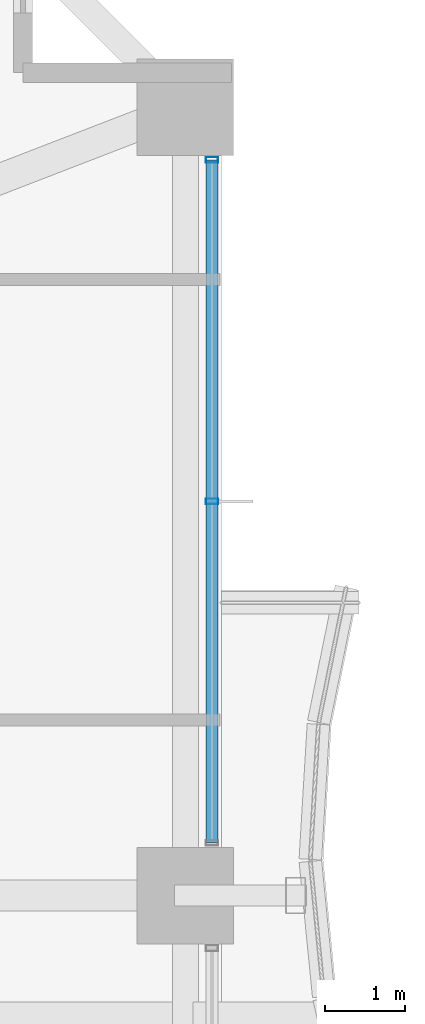
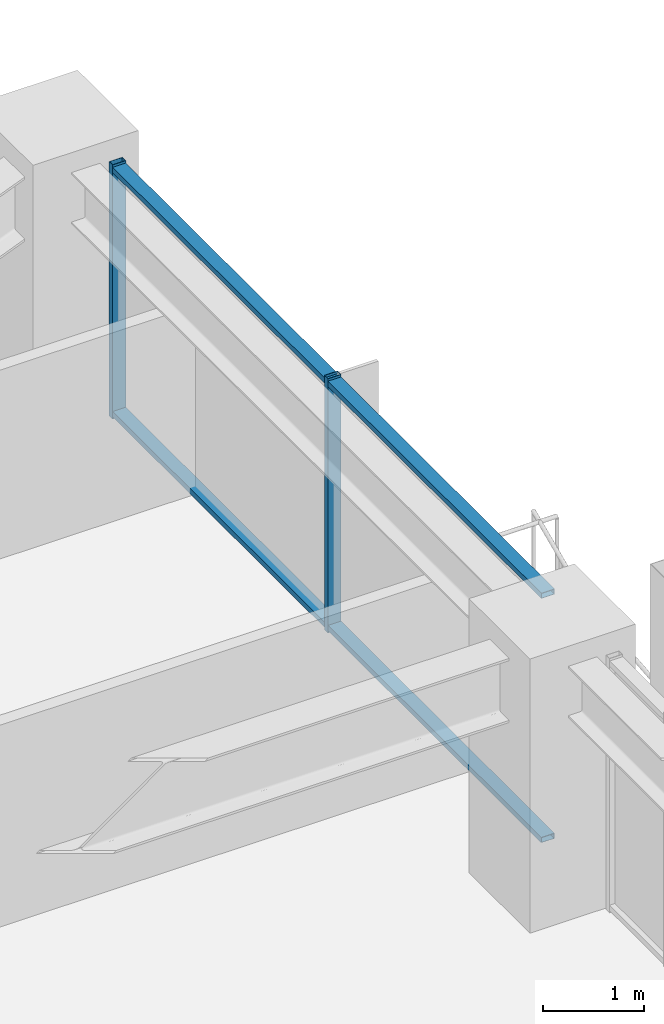
# One storey, part 23 of 36: 4 members, 1 element without a shape of its own.
"""IFC4 building model written with IfcOpenShell, lengths in metres."""

from ifc_helpers import new_model, si_unit, direction, frame, origin, origin_2d, place, context, subcontext, project, spatial, hollow_rectangle, extrude, material, material_profile, profile_set, type_object, element, aggregate, save


model = new_model("IFC4")

# Units and contexts
model_context = context("Model", 3, precision=1e-05, world=origin(), true_north=direction((0.0, 1.0)))
body_context = subcontext(model_context, "Body", "Model", "MODEL_VIEW")
ifc_project = project(units=[si_unit("LENGTHUNIT", "METRE"), si_unit("AREAUNIT", "SQUARE_METRE"), si_unit("VOLUMEUNIT", "CUBIC_METRE"), si_unit("PLANEANGLEUNIT", "RADIAN"), si_unit("MASSUNIT", "GRAM", prefix="KILO")], contexts=[model_context])

# Site, building, storey
site_placement = place(None, origin())
site = spatial("IfcSite", under=ifc_project, at=site_placement, CompositionType="ELEMENT")
building_placement = place(site_placement, origin())
building = spatial("IfcBuilding", under=site, at=building_placement, Name="Kolvaren Belvedere", CompositionType="ELEMENT")
storey_placement = place(building_placement, frame((0.0, 0.0, 46.89990234375)))
storey = spatial("IfcBuildingStorey", under=building, at=storey_placement, Name="L13", CompositionType="ELEMENT", Elevation=46.89990234375)

# Curtain wall, members
ifc_material_1 = material(Name="Anodised pale-metal aluminium AA 6063-T6", Category="aluminium")
curtain_wall_type = type_object("IfcCurtainWallType", Name="CW-Z1-LOW", PredefinedType="NOTDEFINED", material=ifc_material_1)
curtain_wall_placement = place(storey_placement, origin())
curtain_wall = element("IfcCurtainWall", 1, at=curtain_wall_placement, inside=storey, type_object=curtain_wall_type, Name="L13 Unitised Curtain Wall FCW-L13-E1-B1", PredefinedType="NOTDEFINED")
ifc_material_2 = material(Name="Anodised pale-metal aluminium AA 6063-T6", Category="aluminium")
ifc_material_profile_1 = material_profile(ifc_material_2, hollow_rectangle(XDim=0.070068359375, YDim=0.14990234375, WallThickness=0.004150390625, at=origin_2d()), Name="ALU-MUL-150X70")
ifc_profile_set_1 = profile_set([ifc_material_profile_1], Name="Anodised pale-metal aluminium AA 6063-T6")
member_type_1 = type_object("IfcMemberType", Name="CW-MUL-150", PredefinedType="MULLION", material=ifc_profile_set_1)
member_1_placement = place(storey_placement, frame((21.8798828125, 13.7451171875, 0.0), z_axis=(0.0, 0.0, 1.0), x_axis=(0.0, 1.0, 0.0)))
member_1 = element("IfcMember", 2, at=member_1_placement, type_object=member_type_1, Name="FCW-L13-E1-B1 Unitised Mullion 1", PredefinedType="MULLION", context=body_context, shape_type="SweptSolid", body=[
    extrude(hollow_rectangle(XDim=0.070068359375, YDim=0.14990234375, WallThickness=0.004150390625, at=origin_2d()), origin(), (0.0, 0.0, 1.0), 3.06005859375),
])
member_2_placement = place(storey_placement, frame((21.8798828125, 9.5, 0.0), z_axis=(0.0, 0.0, 1.0), x_axis=(0.0, 1.0, 0.0)))
member_2 = element("IfcMember", 3, at=member_2_placement, type_object=member_type_1, Name="FCW-L13-E1-B1 Unitised Mullion 2", PredefinedType="MULLION", context=body_context, shape_type="SweptSolid", body=[
    extrude(hollow_rectangle(XDim=0.070068359375, YDim=0.14990234375, WallThickness=0.004150390625, at=origin_2d()), origin(), (0.0, 0.0, 1.0), 3.06005859375),
])
ifc_material_3 = material(Name="Anodised pale-metal aluminium AA 6063-T6", Category="aluminium")
ifc_material_profile_2 = material_profile(ifc_material_3, hollow_rectangle(XDim=0.06494140625, YDim=0.14990234375, WallThickness=0.00390625, at=origin_2d()), Name="ALU-TRN-150X65")
ifc_profile_set_2 = profile_set([ifc_material_profile_2], Name="Anodised pale-metal aluminium AA 6063-T6")
member_type_2 = type_object("IfcMemberType", Name="CW-TRN-150", PredefinedType="USERDEFINED", material=ifc_profile_set_2)
member_3_placement = place(storey_placement, frame((21.8798828125, 13.7451171875, 0.06005859375), z_axis=(0.0, -1.0, 0.0), x_axis=(0.0, 0.0, 1.0)))
member_3 = element("IfcMember", 4, at=member_3_placement, type_object=member_type_2, Name="FCW-L13-E1-B1 Sill Transom", ObjectType="TRANSOM", PredefinedType="USERDEFINED", context=body_context, shape_type="SweptSolid", body=[
    extrude(hollow_rectangle(XDim=0.06494140625, YDim=0.14990234375, WallThickness=0.00390625, at=origin_2d()), origin(), (0.0, 0.0, 1.0), 8.490234375),
])
member_4_placement = place(storey_placement, frame((21.8798828125, 13.7451171875, 3.0), z_axis=(0.0, -1.0, 0.0), x_axis=(0.0, 0.0, 1.0)))
member_4 = element("IfcMember", 5, at=member_4_placement, type_object=member_type_2, Name="FCW-L13-E1-B1 Head Transom", ObjectType="TRANSOM", PredefinedType="USERDEFINED", context=body_context, shape_type="SweptSolid", body=[
    extrude(hollow_rectangle(XDim=0.06494140625, YDim=0.14990234375, WallThickness=0.00390625, at=origin_2d()), origin(), (0.0, 0.0, 1.0), 8.490234375),
])
aggregate(curtain_wall, [member_1, member_2, member_3, member_4])

save(model, "model.ifc")
